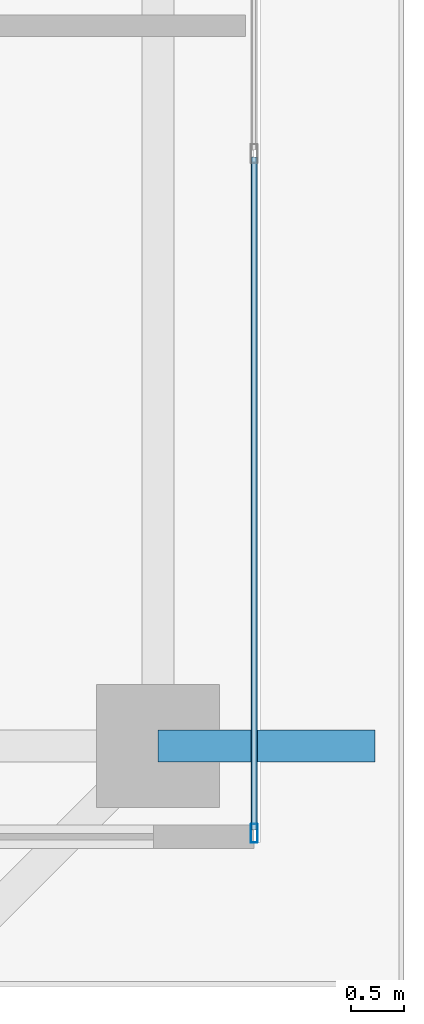
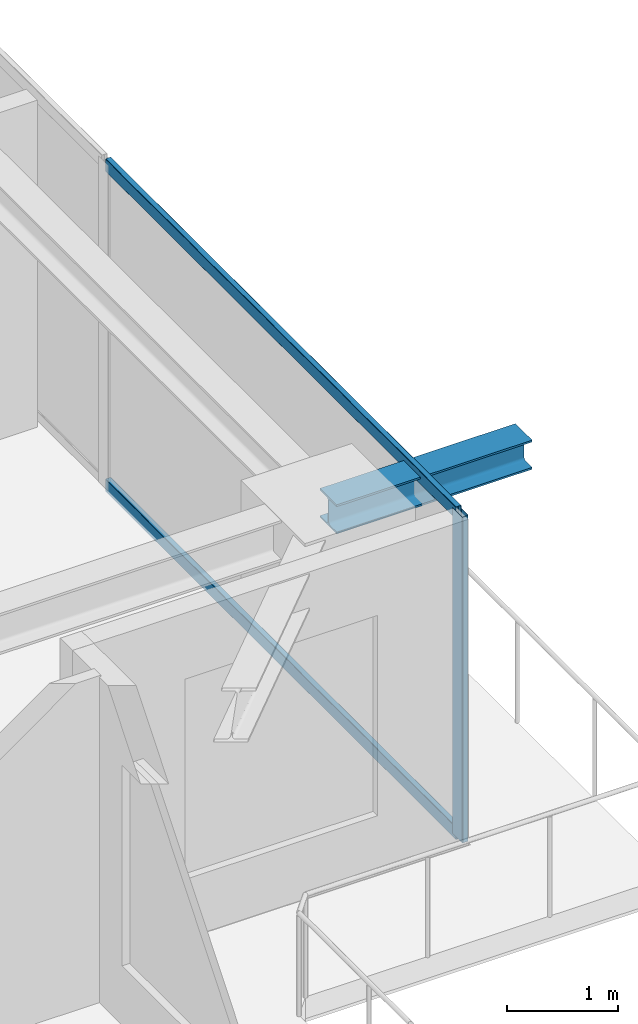
# One storey, part 13 of 35: 3 members, 1 beam, 1 element without a shape of its own.
"""IFC4 building model written with IfcOpenShell, lengths in metres."""

from ifc_helpers import new_model, si_unit, direction, frame, origin, origin_2d, place, context, subcontext, project, spatial, hollow_rectangle, i_section, extrude, source, transform, mapped, material, layer, layer_set, material_profile, profile_set, type_object, element, aggregate, save


model = new_model("IFC4")

# Units and contexts
model_context = context("Model", 3, precision=1e-05, world=origin(), true_north=direction((0.0, 1.0)))
body_context = subcontext(model_context, "Body", "Model", "MODEL_VIEW")
ifc_project = project(units=[si_unit("LENGTHUNIT", "METRE"), si_unit("AREAUNIT", "SQUARE_METRE"), si_unit("VOLUMEUNIT", "CUBIC_METRE"), si_unit("PLANEANGLEUNIT", "RADIAN"), si_unit("MASSUNIT", "GRAM", prefix="KILO")], contexts=[model_context])

# Site, building, storey
site_placement = place(None, origin())
site = spatial("IfcSite", under=ifc_project, at=site_placement, CompositionType="ELEMENT")
building_placement = place(site_placement, origin())
building = spatial("IfcBuilding", under=site, at=building_placement, Name="Serunith Strait Residences", CompositionType="ELEMENT")
storey_placement = place(building_placement, frame((0.0, 0.0, 210.449951171875)))
storey = spatial("IfcBuildingStorey", under=building, at=storey_placement, Name="L52", CompositionType="ELEMENT", Elevation=210.449951171875)

# Beam
ifc_material_1 = material(Name="Steel S355J2", Category="steel")
ifc_material_profile_1 = material_profile(ifc_material_1, i_section(OverallWidth=0.300048828125, OverallDepth=0.320068359375, WebThickness=0.011474609375, FlangeThickness=0.0205078125, FilletRadius=0.027099609375, at=origin_2d()), Name="HEB 320")
ifc_profile_set_1 = profile_set([ifc_material_profile_1], Name="Steel S355J2")
beam_type = type_object("IfcBeamType", Name="BM-HEB320", PredefinedType="BEAM", material=ifc_profile_set_1)
shared_shape_1 = source(origin(), body_context, "Body", "SweptSolid", [
    extrude(i_section(OverallWidth=0.300048828125, OverallDepth=0.320068359375, WebThickness=0.011474609375, FlangeThickness=0.0205078125, FilletRadius=0.027099609375, at=origin_2d()), origin(), (0.0, 0.0, 1.0), 2.030029296875),
])
beam_placement = place(storey_placement, frame((56.5, 10.050048828125, 3.39697265625), z_axis=(1.0, 0.0, 0.0), x_axis=(0.0, 1.0, 0.0)))
element("IfcBeam", 1, at=beam_placement, inside=storey, type_object=beam_type, Name="L53 Cantilevered Balcony Rib TC-E1", PredefinedType="BEAM", context=body_context, shape_type="MappedRepresentation", body=[
    mapped(shared_shape_1, transform((0.0, 0.0, 0.0), scale=1.0)),
])

# Curtain wall, members
ifc_material_2 = material(Name="Pale-Champagne Anodised Aluminium", Category="aluminium")
ifc_layer = layer(ifc_material_2, 0.199951171875, Name="Pale-Champagne Anodised Aluminium")
ifc_layer_set = layer_set([ifc_layer], Name="Pale-Champagne Anodised Aluminium")
curtain_wall_type = type_object("IfcCurtainWallType", Name="CW-SYS4", PredefinedType="NOTDEFINED", material=ifc_layer_set)
curtain_wall_placement = place(storey_placement, origin())
curtain_wall = element("IfcCurtainWall", 2, at=curtain_wall_placement, inside=storey, type_object=curtain_wall_type, Name="L52 E Unitised Fritted Curtain Wall", PredefinedType="NOTDEFINED")
ifc_material_profile_2 = material_profile(ifc_material_2, hollow_rectangle(XDim=0.06494140625, YDim=0.179931640625, WallThickness=0.00341796875, InnerFilletRadius=0.00537109375, OuterFilletRadius=0.0087890625, at=origin_2d()), Name="ALU 180x65x3.5")
ifc_profile_set_2 = profile_set([ifc_material_profile_2], Name="Pale-Champagne Anodised Aluminium")
member_type_1 = type_object("IfcMemberType", Name="CW-SYS4-MULL", PredefinedType="MULLION", material=ifc_profile_set_2)
shared_shape_2 = source(origin(), body_context, "Body", "SweptSolid", [
    extrude(hollow_rectangle(XDim=0.06494140625, YDim=0.179931640625, WallThickness=0.00341796875, InnerFilletRadius=0.00537109375, OuterFilletRadius=0.0087890625, at=origin_2d()), origin(), (0.0, 0.0, 1.0), 3.574951171875),
])
member_1_placement = place(storey_placement, frame((57.39990234375, 9.232421875, 0.0), z_axis=(0.0, 0.0, 1.0), x_axis=(-1.0, 0.0, 0.0)))
member_1 = element("IfcMember", 3, at=member_1_placement, type_object=member_type_1, Name="CW-4 mullion 1", PredefinedType="MULLION", context=body_context, shape_type="MappedRepresentation", body=[
    mapped(shared_shape_2, transform((0.0, 0.0, 0.0), scale=1.0)),
])
ifc_material_profile_3 = material_profile(ifc_material_2, hollow_rectangle(XDim=0.06005859375, YDim=0.139892578125, WallThickness=0.00341796875, InnerFilletRadius=0.00537109375, OuterFilletRadius=0.0087890625, at=origin_2d()), Name="ALU 140x60x3.5")
ifc_profile_set_3 = profile_set([ifc_material_profile_3], Name="Pale-Champagne Anodised Aluminium")
member_type_2 = type_object("IfcMemberType", Name="CW-SYS4-TRAN", PredefinedType="USERDEFINED", material=ifc_profile_set_3)
shared_shape_3 = source(origin(), body_context, "Body", "SweptSolid", [
    extrude(hollow_rectangle(XDim=0.06005859375, YDim=0.139892578125, WallThickness=0.00341796875, InnerFilletRadius=0.00537109375, OuterFilletRadius=0.0087890625, at=origin_2d()), origin(), (0.0, 0.0, 1.0), 6.302490234375),
])
member_2_placement = place(storey_placement, frame((57.39990234375, 9.264892578125, 0.030029296875), z_axis=(0.0, 1.0, 0.0), x_axis=(-1.0, 0.0, 0.0)))
member_2 = element("IfcMember", 4, at=member_2_placement, type_object=member_type_2, Name="CW-4 transom 1.1", ObjectType="TRANSOM", PredefinedType="USERDEFINED", context=body_context, shape_type="MappedRepresentation", body=[
    mapped(shared_shape_3, transform((0.0, 0.0, 0.0), scale=1.0)),
])
member_3_placement = place(storey_placement, frame((57.39990234375, 9.264892578125, 3.545166015625), z_axis=(0.0, 1.0, 0.0), x_axis=(-1.0, 0.0, 0.0)))
member_3 = element("IfcMember", 5, at=member_3_placement, type_object=member_type_2, Name="CW-4 transom 1.2", ObjectType="TRANSOM", PredefinedType="USERDEFINED", context=body_context, shape_type="MappedRepresentation", body=[
    mapped(shared_shape_3, transform((0.0, 0.0, 0.0), scale=1.0)),
])
aggregate(curtain_wall, [member_1, member_2, member_3])

save(model, "model.ifc")
